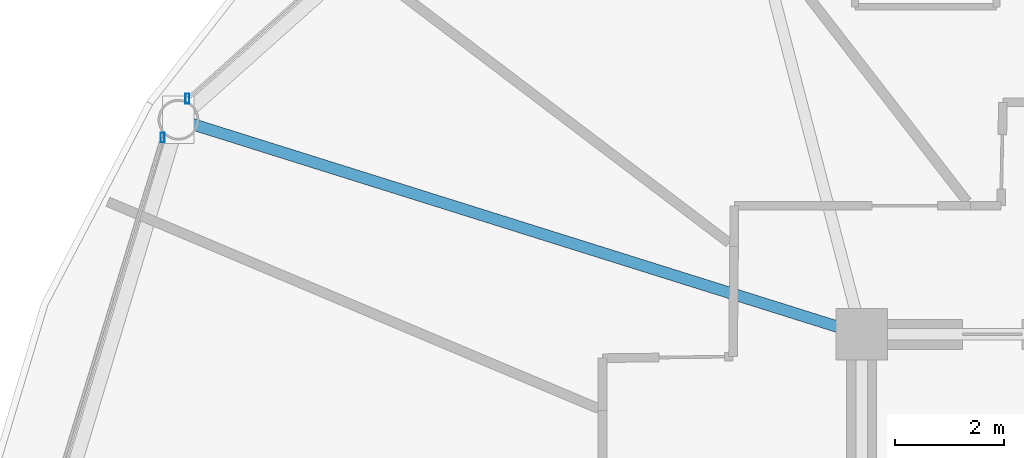
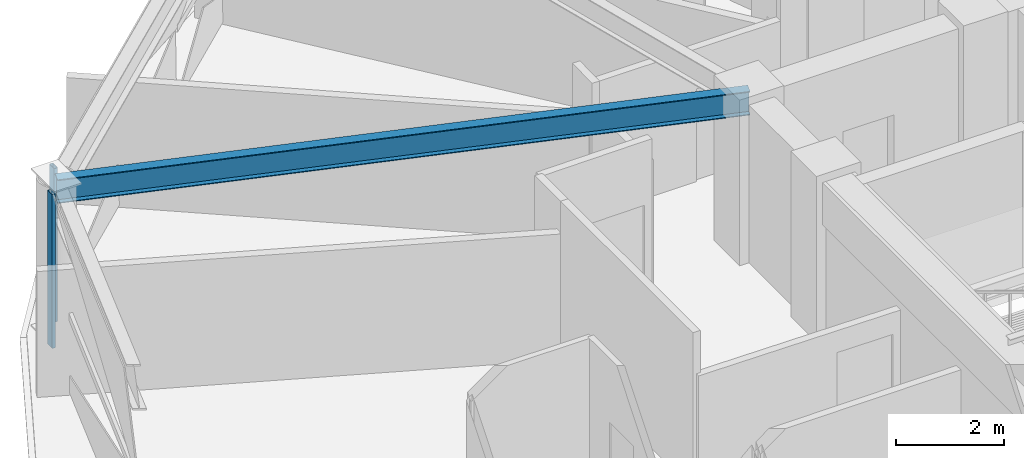
# One storey, part 14 of 32: 2 members, 1 beam, 2 elements without a shape of their own.
"""IFC4 building model written with IfcOpenShell, lengths in metres."""

from ifc_helpers import new_model, si_unit, direction, frame, origin, origin_2d, place, context, subcontext, project, spatial, hollow_rectangle, i_section, extrude, material, layer, layer_set, material_profile, profile_set, type_object, element, aggregate, save


model = new_model("IFC4")

# Units and contexts
model_context = context("Model", 3, precision=1e-05, world=origin(), true_north=direction((0.0, 1.0)))
body_context = subcontext(model_context, "Body", "Model", "MODEL_VIEW")
ifc_project = project(units=[si_unit("LENGTHUNIT", "METRE"), si_unit("AREAUNIT", "SQUARE_METRE"), si_unit("VOLUMEUNIT", "CUBIC_METRE"), si_unit("PLANEANGLEUNIT", "RADIAN"), si_unit("MASSUNIT", "GRAM", prefix="KILO")], contexts=[model_context])

# Site, building, storey
site_placement = place(None, origin())
site = spatial("IfcSite", under=ifc_project, at=site_placement, CompositionType="ELEMENT")
building_placement = place(site_placement, origin())
building = spatial("IfcBuilding", under=site, at=building_placement, Name="Vantalir Tower", CompositionType="ELEMENT")
storey_placement = place(building_placement, frame((0.0, 0.0, 100.949951171875)))
storey = spatial("IfcBuildingStorey", under=building, at=storey_placement, Name="L24", CompositionType="ELEMENT", Elevation=100.949951171875)

# Beam
ifc_material_1 = material(Name="Steel S355", Category="steel")
ifc_material_profile_1 = material_profile(ifc_material_1, i_section(OverallWidth=0.2109375, OverallDepth=0.5390625, WebThickness=0.01171875, FlangeThickness=0.018798828125, at=origin_2d()), Name="Steel S355")
ifc_profile_set_1 = profile_set([ifc_material_profile_1], Name="Steel S355")
beam_type = type_object("IfcBeamType", Name="BM-RB-533x210", PredefinedType="BEAM", material=ifc_profile_set_1)
beam_placement = place(storey_placement, frame((9.340087890625, 36.39404296875, 3.300048828125), z_axis=(0.954064922814, -0.299599938343, 0.0), x_axis=(0.299599938343, 0.954064922814, 0.0)))
element("IfcBeam", 1, at=beam_placement, inside=storey, type_object=beam_type, Name="L24 Radial Floor Beam 06", PredefinedType="BEAM", context=body_context, shape_type="SweptSolid", body=[
    extrude(i_section(OverallWidth=0.2109375, OverallDepth=0.5390625, WebThickness=0.01171875, FlangeThickness=0.018798828125, at=origin_2d()), origin(), (0.0, 0.0, 1.0), 13.16455078125),
])

# Curtain wall, member
ifc_material_2 = material(Name="Champagne-silver PVDF aluminium and double-silver Low-E glass", Category="aluminium")
ifc_layer = layer(ifc_material_2, 0.199951171875)
ifc_layer_set = layer_set([ifc_layer], Name="Champagne-silver PVDF aluminium and double-silver Low-E glass")
curtain_wall_type = type_object("IfcCurtainWallType", Name="CW-DIAMOND-Z2", PredefinedType="USERDEFINED", material=ifc_layer_set)
curtain_wall_1_placement = place(storey_placement, origin())
curtain_wall_1 = element("IfcCurtainWall", 2, at=curtain_wall_1_placement, inside=storey, type_object=curtain_wall_type, Name="L24 Quilted Pyramid-Diamond Curtain Wall S05", ObjectType="UNITISED CURTAIN WALL", PredefinedType="USERDEFINED")
ifc_material_3 = material(Name="Champagne-silver PVDF aluminium 6063-T6", Category="aluminium")
ifc_material_profile_2 = material_profile(ifc_material_3, hollow_rectangle(XDim=0.074951171875, YDim=0.179931640625, WallThickness=0.00390625, at=origin_2d()), Name="Champagne-silver PVDF aluminium 6063-T6")
ifc_profile_set_2 = profile_set([ifc_material_profile_2], Name="Champagne-silver PVDF aluminium 6063-T6")
member_type = type_object("IfcMemberType", Name="CWM-180x75", PredefinedType="MULLION", material=ifc_profile_set_2)
member_1_placement = place(storey_placement, frame((9.50390625, 36.781982421875, 0.045166015625), z_axis=(0.0, 0.0, 1.0), x_axis=(1.0, 0.0, 0.0)))
member_1 = element("IfcMember", 3, at=member_1_placement, type_object=member_type, Name="CW-L24-S05 Mullion 2", PredefinedType="MULLION", context=body_context, shape_type="SweptSolid", body=[
    extrude(hollow_rectangle(XDim=0.074951171875, YDim=0.179931640625, WallThickness=0.00390625, at=origin_2d()), origin(), (0.0, 0.0, 1.0), 3.47998046875),
])
aggregate(curtain_wall_1, [member_1])

curtain_wall_2_placement = place(storey_placement, origin())
curtain_wall_2 = element("IfcCurtainWall", 4, at=curtain_wall_2_placement, inside=storey, type_object=curtain_wall_type, Name="L24 Quilted Pyramid-Diamond Curtain Wall S06", ObjectType="UNITISED CURTAIN WALL", PredefinedType="USERDEFINED")
member_2_placement = place(storey_placement, frame((9.049072265625, 36.068115234375, 0.045166015625), z_axis=(0.0, 0.0, 1.0), x_axis=(1.0, 0.0, 0.0)))
member_2 = element("IfcMember", 5, at=member_2_placement, type_object=member_type, Name="CW-L24-S06 Mullion 1", PredefinedType="MULLION", context=body_context, shape_type="SweptSolid", body=[
    extrude(hollow_rectangle(XDim=0.074951171875, YDim=0.179931640625, WallThickness=0.00390625, at=origin_2d()), origin(), (0.0, 0.0, 1.0), 3.47998046875),
])
aggregate(curtain_wall_2, [member_2])

save(model, "model.ifc")
